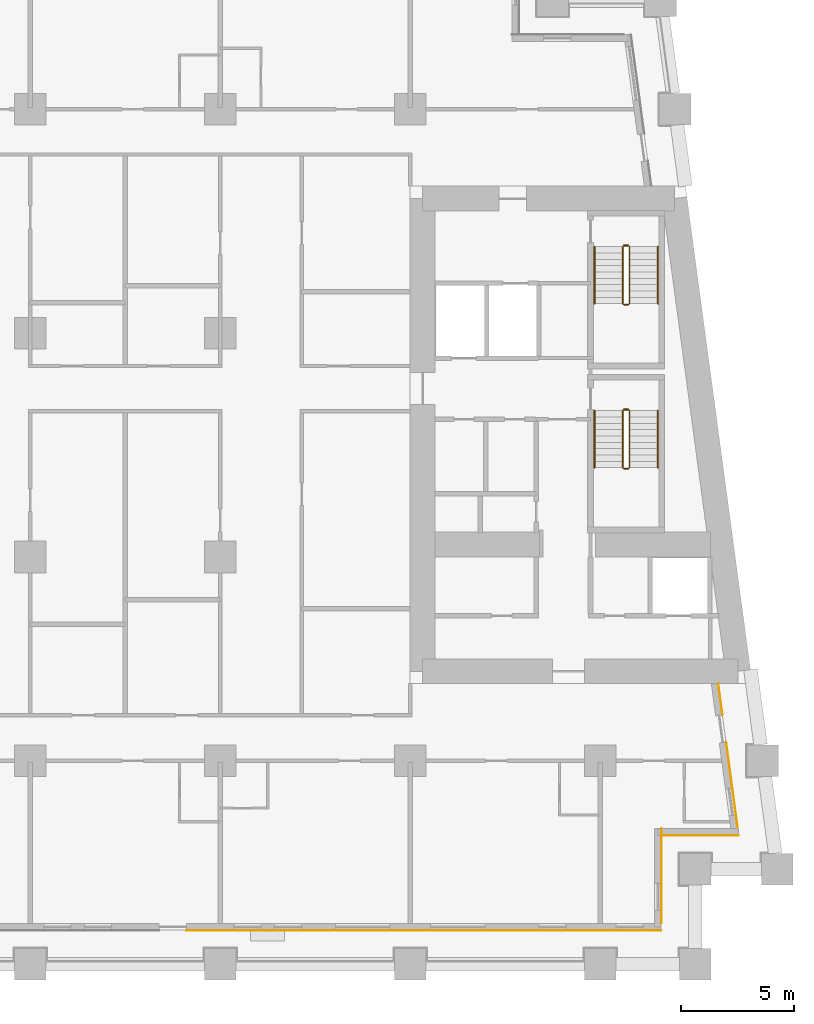
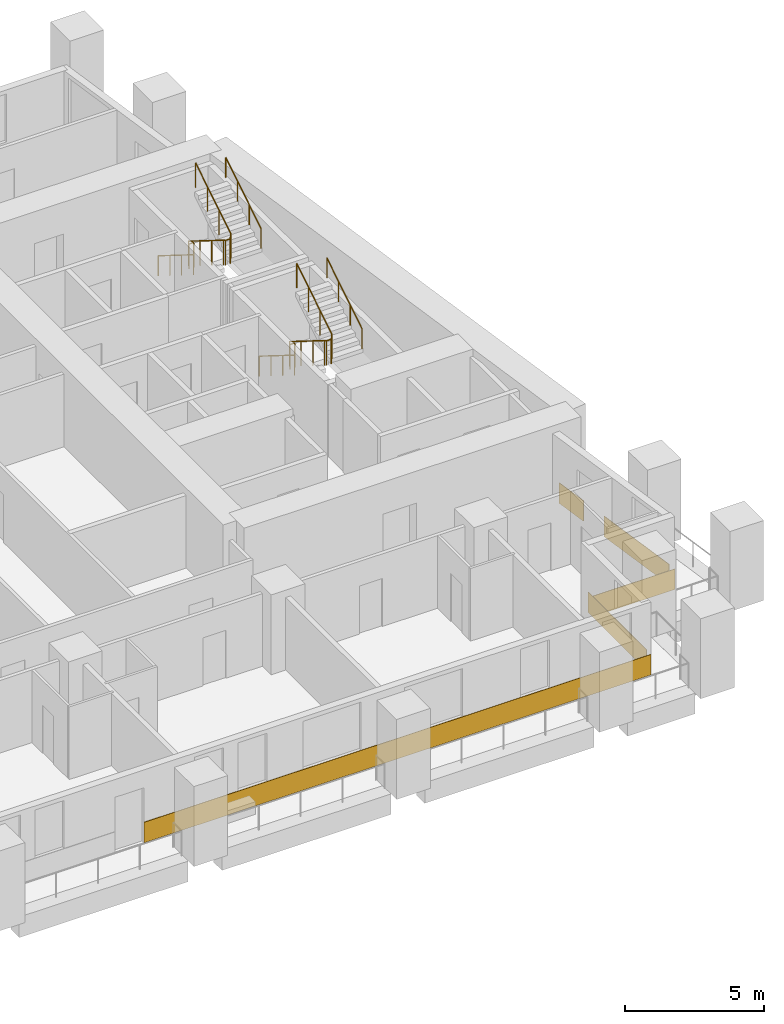
# One storey, part 11 of 13: 8 railings, 5 coverings.
"""IFC4 building model written with IfcOpenShell, lengths in metres."""

from ifc_helpers import new_model, si_unit, direction, frame, origin, origin_2d, place, context, subcontext, project, spatial, rectangle, circle, extrude, material, layer, layer_set, type_object, element, save


model = new_model("IFC4")

# Units and contexts
model_context = context("Model", 3, precision=1e-05, world=origin(), true_north=direction((0.0, 1.0)))
body_context = subcontext(model_context, "Body", "Model", "MODEL_VIEW")
ifc_project = project(units=[si_unit("LENGTHUNIT", "METRE"), si_unit("AREAUNIT", "SQUARE_METRE"), si_unit("VOLUMEUNIT", "CUBIC_METRE"), si_unit("PLANEANGLEUNIT", "RADIAN"), si_unit("MASSUNIT", "GRAM", prefix="KILO")], contexts=[model_context])

# Site, building, storey
site_placement = place(None, origin())
site = spatial("IfcSite", under=ifc_project, at=site_placement, CompositionType="ELEMENT")
building_placement = place(site_placement, origin())
building = spatial("IfcBuilding", under=site, at=building_placement, Name="Candeia Pilgrim Tower and Theatre", CompositionType="ELEMENT")
storey_placement = place(building_placement, frame((0.0, 0.0, 60.0)))
storey = spatial("IfcBuildingStorey", under=building, at=storey_placement, Name="L12", CompositionType="ELEMENT", Elevation=60.0)

# Coverings
ifc_material_1 = material(Name="Glazed ceramic tile deep red")
ifc_layer = layer(ifc_material_1, 0.02001953125)
ifc_layer_set = layer_set([ifc_layer], Name="Glazed ceramic tile deep red")
covering_type = type_object("IfcCoveringType", Name="Glazed ceramic tile deep red", PredefinedType="CLADDING", material=ifc_layer_set)
covering_1_placement = place(storey_placement, frame((126.60009765625, 99.489990234375, 0.0), z_axis=(0.0, 0.0, 1.0), x_axis=(1.0, 0.0, 0.0)))
element("IfcCovering", 1, at=covering_1_placement, inside=storey, type_object=covering_type, Name="Tile cladding deep red L12", PredefinedType="CLADDING", context=body_context, shape_type="SweptSolid", body=[
    extrude(rectangle(XDim=21.0, YDim=0.02001953125, at=origin_2d()), origin(), (0.0, 0.0, 1.0), 0.89990234375),
])
covering_2_placement = place(storey_placement, frame((137.110107421875, 101.909912109375, 0.0), z_axis=(0.0, 0.0, 1.0), x_axis=(0.0, 1.0, 0.0)))
element("IfcCovering", 2, at=covering_2_placement, inside=storey, type_object=covering_type, Name="Tile cladding deep red L12", PredefinedType="CLADDING", context=body_context, shape_type="SweptSolid", body=[
    extrude(rectangle(XDim=4.179931640625, YDim=0.02001953125, at=origin_2d()), origin(), (0.0, 0.0, 1.0), 0.89990234375),
])
covering_3_placement = place(storey_placement, frame((138.819580078125, 103.68994140625, 0.0), z_axis=(0.0, 0.0, 1.0), x_axis=(1.0, 0.0, 0.0)))
element("IfcCovering", 3, at=covering_3_placement, inside=storey, type_object=covering_type, Name="Tile cladding deep red L12", PredefinedType="CLADDING", context=body_context, shape_type="SweptSolid", body=[
    extrude(rectangle(XDim=3.399169921875, YDim=0.02001953125, at=origin_2d()), origin(), (0.0, 0.0, 1.0), 0.89990234375),
])
covering_4_placement = place(storey_placement, frame((140.228515625, 105.933349609375, 0.0), z_axis=(0.0, 0.0, 1.0), x_axis=(-0.133412012145, 0.991060661622, 0.0)))
element("IfcCovering", 4, at=covering_4_placement, inside=storey, type_object=covering_type, Name="Tile cladding deep red L12", PredefinedType="CLADDING", context=body_context, shape_type="SweptSolid", body=[
    extrude(rectangle(XDim=3.821044921875, YDim=0.02001953125, at=origin_2d()), origin(), (0.0, 0.0, 1.0), 0.89990234375),
])
covering_5_placement = place(storey_placement, frame((139.718994140625, 109.71875, 0.0), z_axis=(0.0, 0.0, 1.0), x_axis=(-0.133412012145, 0.991060661622, 0.0)))
element("IfcCovering", 5, at=covering_5_placement, inside=storey, type_object=covering_type, Name="Tile cladding deep red L12", PredefinedType="CLADDING", context=body_context, shape_type="SweptSolid", body=[
    extrude(rectangle(XDim=1.41796875, YDim=0.02001953125, at=origin_2d()), origin(), (0.0, 0.0, 1.0), 0.89990234375),
])

# Railings
ifc_material_2 = material(Name="Stainless steel balustrade", Category="steel")
railing_type_1 = type_object("IfcRailingType", Name="RL-GUARD-1100", PredefinedType="GUARDRAIL", material=ifc_material_2)
railing_1_placement = place(storey_placement, frame((135.39794921875, 122.47509765625, 0.175048828125)))
element("IfcRailing", 6, at=railing_1_placement, inside=storey, type_object=railing_type_1, Name="L12 ST3 stair guard 1", PredefinedType="GUARDRAIL", context=body_context, shape_type="SweptSolid", body=[
    extrude(circle(Radius=0.02392578125, at=origin_2d()), frame((0.0, 0.0, 1.076171875), z_axis=(0.0, -0.848007534815, 0.529984170421), x_axis=(1.0, 0.0, 0.0)), (0.0, 0.0, 1.0), 2.9716796875),
    extrude(circle(Radius=0.02392578125, at=origin_2d()), frame((0.0, -2.52001953125, 2.65087890625), z_axis=(0.707106781187, -0.707106781187, 0.0), x_axis=(0.707106781187, 0.707106781187, 0.0)), (0.0, 0.0, 1.0), 0.07080078125),
    extrude(circle(Radius=0.02392578125, at=origin_2d()), frame((0.050048828125, -2.570068359375, 2.65087890625), z_axis=(1.0, 0.0, 0.0), x_axis=(0.0, 1.0, 0.0)), (0.0, 0.0, 1.0), 0.199951171875),
    extrude(circle(Radius=0.02392578125, at=origin_2d()), frame((0.25, -2.570068359375, 2.65087890625), z_axis=(0.265065253269, 0.265065253269, 0.927081885822), x_axis=(-0.707106781187, 0.707106781187, 0.0)), (0.0, 0.0, 1.0), 0.188720703125),
    extrude(circle(Radius=0.02392578125, at=origin_2d()), frame((0.300048828125, -2.52001953125, 2.826171875), z_axis=(0.0, 0.848007534815, 0.529984170421), x_axis=(-1.0, 0.0, 0.0)), (0.0, 0.0, 1.0), 2.9716796875),
    extrude(circle(Radius=0.02099609375, at=origin_2d()), origin(), (0.0, 0.0, 1.0), 1.052001953125),
    extrude(circle(Radius=0.02099609375, at=origin_2d()), frame((0.0, -0.840087890625, 0.52490234375)), (0.0, 0.0, 1.0), 1.052001953125),
    extrude(circle(Radius=0.02099609375, at=origin_2d()), frame((0.0, -1.679931640625, 1.050048828125)), (0.0, 0.0, 1.0), 1.052001953125),
    extrude(circle(Radius=0.02099609375, at=origin_2d()), frame((0.0, -2.52001953125, 1.574951171875)), (0.0, 0.0, 1.0), 1.052001953125),
    extrude(circle(Radius=0.02099609375, at=origin_2d()), frame((0.050048828125, -2.570068359375, 1.574951171875)), (0.0, 0.0, 1.0), 1.052001953125),
    extrude(circle(Radius=0.02099609375, at=origin_2d()), frame((0.25, -2.570068359375, 1.574951171875)), (0.0, 0.0, 1.0), 1.052001953125),
    extrude(circle(Radius=0.02099609375, at=origin_2d()), frame((0.300048828125, -2.52001953125, 1.75)), (0.0, 0.0, 1.0), 1.052001953125),
    extrude(circle(Radius=0.02099609375, at=origin_2d()), frame((0.300048828125, -1.679931640625, 2.27490234375)), (0.0, 0.0, 1.0), 1.052001953125),
    extrude(circle(Radius=0.02099609375, at=origin_2d()), frame((0.300048828125, -0.840087890625, 2.800048828125)), (0.0, 0.0, 1.0), 1.052001953125),
    extrude(circle(Radius=0.02099609375, at=origin_2d()), frame((0.300048828125, 0.0, 3.324951171875)), (0.0, 0.0, 1.0), 1.052001953125),
])
railing_2_placement = place(storey_placement, frame((135.447998046875, 122.52490234375, 0.0)))
element("IfcRailing", 7, at=railing_2_placement, inside=storey, type_object=railing_type_1, Name="L12 ST3 stair guard 2", PredefinedType="GUARDRAIL", context=body_context, shape_type="SweptSolid", body=[
    extrude(circle(Radius=0.02392578125, at=origin_2d()), frame((0.0, 0.0, 1.076171875), z_axis=(1.0, 0.0, 0.0), x_axis=(0.0, 1.0, 0.0)), (0.0, 0.0, 1.0), 0.199951171875),
    extrude(circle(Radius=0.02099609375, at=origin_2d()), origin(), (0.0, 0.0, 1.0), 1.052001953125),
    extrude(circle(Radius=0.02099609375, at=origin_2d()), frame((0.199951171875, 0.0, 0.0)), (0.0, 0.0, 1.0), 1.052001953125),
])
railing_3_placement = place(storey_placement, frame((135.39794921875, 129.72509765625, 0.175048828125)))
element("IfcRailing", 8, at=railing_3_placement, inside=storey, type_object=railing_type_1, Name="L12 ST4 stair guard 1", PredefinedType="GUARDRAIL", context=body_context, shape_type="SweptSolid", body=[
    extrude(circle(Radius=0.02392578125, at=origin_2d()), frame((0.0, 0.0, 1.076171875), z_axis=(0.0, -0.848007534815, 0.529984170421), x_axis=(1.0, 0.0, 0.0)), (0.0, 0.0, 1.0), 2.9716796875),
    extrude(circle(Radius=0.02392578125, at=origin_2d()), frame((0.0, -2.52001953125, 2.65087890625), z_axis=(0.707106781187, -0.707106781187, 0.0), x_axis=(0.707106781187, 0.707106781187, 0.0)), (0.0, 0.0, 1.0), 0.07080078125),
    extrude(circle(Radius=0.02392578125, at=origin_2d()), frame((0.050048828125, -2.570068359375, 2.65087890625), z_axis=(1.0, 0.0, 0.0), x_axis=(0.0, 1.0, 0.0)), (0.0, 0.0, 1.0), 0.199951171875),
    extrude(circle(Radius=0.02392578125, at=origin_2d()), frame((0.25, -2.570068359375, 2.65087890625), z_axis=(0.265065253269, 0.265065253269, 0.927081885822), x_axis=(-0.707106781187, 0.707106781187, 0.0)), (0.0, 0.0, 1.0), 0.188720703125),
    extrude(circle(Radius=0.02392578125, at=origin_2d()), frame((0.300048828125, -2.52001953125, 2.826171875), z_axis=(0.0, 0.848007534815, 0.529984170421), x_axis=(-1.0, 0.0, 0.0)), (0.0, 0.0, 1.0), 2.9716796875),
    extrude(circle(Radius=0.02099609375, at=origin_2d()), origin(), (0.0, 0.0, 1.0), 1.052001953125),
    extrude(circle(Radius=0.02099609375, at=origin_2d()), frame((0.0, -0.840087890625, 0.52490234375)), (0.0, 0.0, 1.0), 1.052001953125),
    extrude(circle(Radius=0.02099609375, at=origin_2d()), frame((0.0, -1.679931640625, 1.050048828125)), (0.0, 0.0, 1.0), 1.052001953125),
    extrude(circle(Radius=0.02099609375, at=origin_2d()), frame((0.0, -2.52001953125, 1.574951171875)), (0.0, 0.0, 1.0), 1.052001953125),
    extrude(circle(Radius=0.02099609375, at=origin_2d()), frame((0.050048828125, -2.570068359375, 1.574951171875)), (0.0, 0.0, 1.0), 1.052001953125),
    extrude(circle(Radius=0.02099609375, at=origin_2d()), frame((0.25, -2.570068359375, 1.574951171875)), (0.0, 0.0, 1.0), 1.052001953125),
    extrude(circle(Radius=0.02099609375, at=origin_2d()), frame((0.300048828125, -2.52001953125, 1.75)), (0.0, 0.0, 1.0), 1.052001953125),
    extrude(circle(Radius=0.02099609375, at=origin_2d()), frame((0.300048828125, -1.679931640625, 2.27490234375)), (0.0, 0.0, 1.0), 1.052001953125),
    extrude(circle(Radius=0.02099609375, at=origin_2d()), frame((0.300048828125, -0.840087890625, 2.800048828125)), (0.0, 0.0, 1.0), 1.052001953125),
    extrude(circle(Radius=0.02099609375, at=origin_2d()), frame((0.300048828125, 0.0, 3.324951171875)), (0.0, 0.0, 1.0), 1.052001953125),
])
railing_4_placement = place(storey_placement, frame((135.447998046875, 129.77490234375, 0.0)))
element("IfcRailing", 9, at=railing_4_placement, inside=storey, type_object=railing_type_1, Name="L12 ST4 stair guard 2", PredefinedType="GUARDRAIL", context=body_context, shape_type="SweptSolid", body=[
    extrude(circle(Radius=0.02392578125, at=origin_2d()), frame((0.0, 0.0, 1.076171875), z_axis=(1.0, 0.0, 0.0), x_axis=(0.0, 1.0, 0.0)), (0.0, 0.0, 1.0), 0.199951171875),
    extrude(circle(Radius=0.02099609375, at=origin_2d()), origin(), (0.0, 0.0, 1.0), 1.052001953125),
    extrude(circle(Radius=0.02099609375, at=origin_2d()), frame((0.199951171875, 0.0, 0.0)), (0.0, 0.0, 1.0), 1.052001953125),
])
ifc_material_3 = material(Name="Stainless steel handrail", Category="steel")
railing_type_2 = type_object("IfcRailingType", Name="RL-HANDRAIL-900", PredefinedType="HANDRAIL", material=ifc_material_3)
railing_5_placement = place(storey_placement, frame((134.14794921875, 122.47509765625, 0.175048828125)))
element("IfcRailing", 10, at=railing_5_placement, inside=storey, type_object=railing_type_2, Name="L12 ST3 stair handrail 1", PredefinedType="HANDRAIL", context=body_context, shape_type="SweptSolid", body=[
    extrude(circle(Radius=0.02392578125, at=origin_2d()), frame((0.0, 0.0, 0.8759765625), z_axis=(0.0, -0.848007534815, 0.529984170421), x_axis=(1.0, 0.0, 0.0)), (0.0, 0.0, 1.0), 2.9716796875),
    extrude(circle(Radius=0.02099609375, at=origin_2d()), origin(), (0.0, 0.0, 1.0), 0.851806640625),
    extrude(circle(Radius=0.02099609375, at=origin_2d()), frame((0.0, -0.840087890625, 0.52490234375)), (0.0, 0.0, 1.0), 0.851806640625),
    extrude(circle(Radius=0.02099609375, at=origin_2d()), frame((0.0, -1.679931640625, 1.050048828125)), (0.0, 0.0, 1.0), 0.851806640625),
    extrude(circle(Radius=0.02099609375, at=origin_2d()), frame((0.0, -2.52001953125, 1.574951171875)), (0.0, 0.0, 1.0), 0.851806640625),
])
railing_6_placement = place(storey_placement, frame((136.947998046875, 119.955078125, 1.925048828125)))
element("IfcRailing", 11, at=railing_6_placement, inside=storey, type_object=railing_type_2, Name="L12 ST3 stair handrail 2", PredefinedType="HANDRAIL", context=body_context, shape_type="SweptSolid", body=[
    extrude(circle(Radius=0.02392578125, at=origin_2d()), frame((0.0, 0.0, 0.8759765625), z_axis=(0.0, 0.848007534815, 0.529984170421), x_axis=(-1.0, 0.0, 0.0)), (0.0, 0.0, 1.0), 2.9716796875),
    extrude(circle(Radius=0.02099609375, at=origin_2d()), origin(), (0.0, 0.0, 1.0), 0.851806640625),
    extrude(circle(Radius=0.02099609375, at=origin_2d()), frame((0.0, 0.840087890625, 0.52490234375)), (0.0, 0.0, 1.0), 0.851806640625),
    extrude(circle(Radius=0.02099609375, at=origin_2d()), frame((0.0, 1.679931640625, 1.050048828125)), (0.0, 0.0, 1.0), 0.851806640625),
    extrude(circle(Radius=0.02099609375, at=origin_2d()), frame((0.0, 2.52001953125, 1.574951171875)), (0.0, 0.0, 1.0), 0.851806640625),
])
railing_7_placement = place(storey_placement, frame((134.14794921875, 129.72509765625, 0.175048828125)))
element("IfcRailing", 12, at=railing_7_placement, inside=storey, type_object=railing_type_2, Name="L12 ST4 stair handrail 1", PredefinedType="HANDRAIL", context=body_context, shape_type="SweptSolid", body=[
    extrude(circle(Radius=0.02392578125, at=origin_2d()), frame((0.0, 0.0, 0.8759765625), z_axis=(0.0, -0.848007534815, 0.529984170421), x_axis=(1.0, 0.0, 0.0)), (0.0, 0.0, 1.0), 2.9716796875),
    extrude(circle(Radius=0.02099609375, at=origin_2d()), origin(), (0.0, 0.0, 1.0), 0.851806640625),
    extrude(circle(Radius=0.02099609375, at=origin_2d()), frame((0.0, -0.840087890625, 0.52490234375)), (0.0, 0.0, 1.0), 0.851806640625),
    extrude(circle(Radius=0.02099609375, at=origin_2d()), frame((0.0, -1.679931640625, 1.050048828125)), (0.0, 0.0, 1.0), 0.851806640625),
    extrude(circle(Radius=0.02099609375, at=origin_2d()), frame((0.0, -2.52001953125, 1.574951171875)), (0.0, 0.0, 1.0), 0.851806640625),
])
railing_8_placement = place(storey_placement, frame((136.947998046875, 127.205078125, 1.925048828125)))
element("IfcRailing", 13, at=railing_8_placement, inside=storey, type_object=railing_type_2, Name="L12 ST4 stair handrail 2", PredefinedType="HANDRAIL", context=body_context, shape_type="SweptSolid", body=[
    extrude(circle(Radius=0.02392578125, at=origin_2d()), frame((0.0, 0.0, 0.8759765625), z_axis=(0.0, 0.848007534815, 0.529984170421), x_axis=(-1.0, 0.0, 0.0)), (0.0, 0.0, 1.0), 2.9716796875),
    extrude(circle(Radius=0.02099609375, at=origin_2d()), origin(), (0.0, 0.0, 1.0), 0.851806640625),
    extrude(circle(Radius=0.02099609375, at=origin_2d()), frame((0.0, 0.840087890625, 0.52490234375)), (0.0, 0.0, 1.0), 0.851806640625),
    extrude(circle(Radius=0.02099609375, at=origin_2d()), frame((0.0, 1.679931640625, 1.050048828125)), (0.0, 0.0, 1.0), 0.851806640625),
    extrude(circle(Radius=0.02099609375, at=origin_2d()), frame((0.0, 2.52001953125, 1.574951171875)), (0.0, 0.0, 1.0), 0.851806640625),
])

save(model, "model.ifc")
